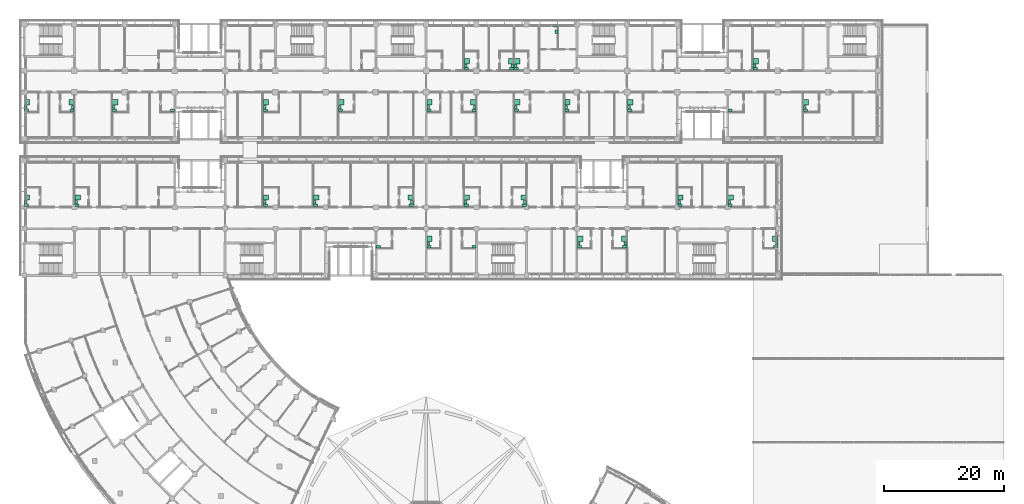
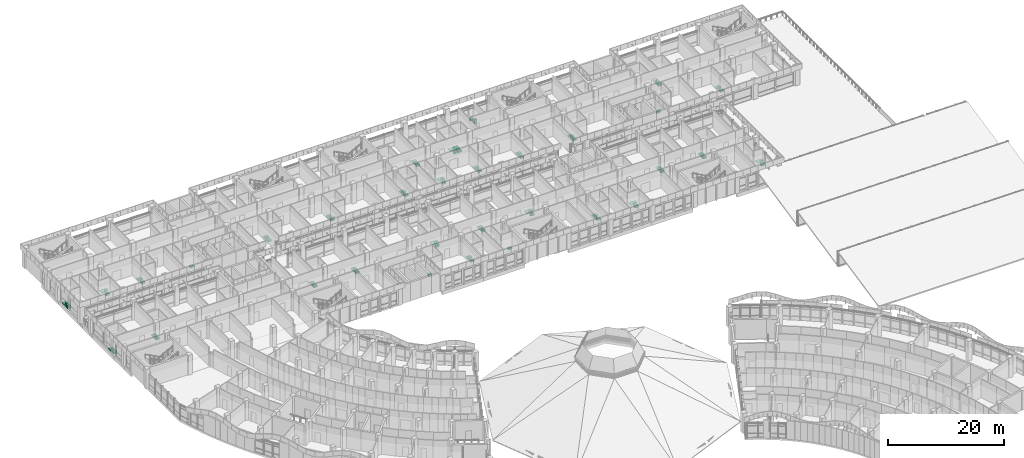
# One storey, part 137 of 137: 90 sanitary terminals.
"""IFC4 building model written with IfcOpenShell, lengths in metres."""

from ifc_helpers import new_model, si_unit, direction, frame, origin, origin_2d, place, context, subcontext, project, spatial, rectangle, extrude, material, type_object, element, save


model = new_model("IFC4")

# Units and contexts
model_context = context("Model", 3, precision=1e-05, world=origin(), true_north=direction((0.0, 1.0)))
body_context = subcontext(model_context, "Body", "Model", "MODEL_VIEW")
ifc_project = project(units=[si_unit("LENGTHUNIT", "METRE"), si_unit("AREAUNIT", "SQUARE_METRE"), si_unit("VOLUMEUNIT", "CUBIC_METRE"), si_unit("PLANEANGLEUNIT", "RADIAN"), si_unit("MASSUNIT", "GRAM", prefix="KILO")], contexts=[model_context])

# Site, building, storey
site_placement = place(None, origin())
site = spatial("IfcSite", under=ifc_project, at=site_placement, CompositionType="ELEMENT")
building_placement = place(site_placement, origin())
building = spatial("IfcBuilding", under=site, at=building_placement, Name="Bougainvillea Quay General Hospital", CompositionType="ELEMENT")
storey_placement = place(building_placement, frame((0.0, 0.0, 16.800048828125)))
storey = spatial("IfcBuildingStorey", under=building, at=storey_placement, Name="L03", CompositionType="ELEMENT", Elevation=16.800048828125)

# Sanitary terminals
ifc_material = material(Name="Vitreous china")
sanitary_terminal_type_1 = type_object("IfcSanitaryTerminalType", Name="Shower tray 900x900", PredefinedType="SHOWER", material=ifc_material)
for number, where, z_axis, x_axis, name in (
    (1, (42.449951171875, 146.52490234375, 0.0), (0.0, 0.0, 1.0), (0.0, 1.0, 0.0), "Shower tray"),
    (2, (49.89990234375, 146.52490234375, 0.0), (0.0, 0.0, 1.0), (0.0, -1.0, 0.0), "Shower tray"),
    (3, (57.199951171875, 146.52490234375, 0.0), (0.0, 0.0, 1.0), (0.0, 1.0, 0.0), "Shower tray"),
    (4, (82.425048828125, 146.52490234375, 0.0), (0.0, 0.0, 1.0), (0.0, 1.0, 0.0), "Shower tray"),
    (5, (95.0, 146.52490234375, 0.0), (0.0, 0.0, 1.0), (0.0, 1.0, 0.0), "Shower tray"),
    (6, (109.75, 146.52490234375, 0.0), (0.0, 0.0, 1.0), (0.0, 1.0, 0.0), "Shower tray"),
    (7, (117.10009765625, 146.52490234375, 0.0), (0.0, 0.0, 1.0), (0.0, -1.0, 0.0), "Shower tray"),
    (8, (124.39990234375, 146.52490234375, 0.0), (0.0, 0.0, 1.0), (0.0, 1.0, 0.0), "Shower tray"),
    (9, (132.824951171875, 146.52490234375, 0.0), (0.0, 0.0, 1.0), (0.0, 1.0, 0.0), "Shower tray"),
    (10, (116.02490234375, 153.425048828125, 0.0), (0.0, 0.0, 1.0), (0.0, 1.0, 0.0), "Shower tray"),
    (11, (123.39990234375, 153.425048828125, 0.0), (0.0, 0.0, 1.0), (0.0, -1.0, 0.0), "Shower tray"),
    (12, (124.39990234375, 153.425048828125, 0.0), (0.0, 0.0, 1.0), (0.0, 1.0, 0.0), "Shower tray"),
    (13, (143.35009765625, 146.52490234375, 0.0), (0.0, 0.0, 1.0), (0.0, 1.0, 0.0), "Shower tray"),
    (14, (172.699951171875, 146.52490234375, 0.0), (0.0, 0.0, 1.0), (0.0, 1.0, 0.0), "Shower tray"),
    (15, (164.324951171875, 153.425048828125, 0.0), (0.0, 0.0, 1.0), (0.0, 1.0, 0.0), "Shower tray"),
    (16, (42.449951171875, 130.625, 0.0), (0.0, 0.0, 1.0), (0.0, 1.0, 0.0), "Shower tray"),
    (17, (50.925048828125, 130.625, 0.0), (0.0, 0.0, 1.0), (0.0, 1.0, 0.0), "Shower tray"),
    (18, (82.425048828125, 130.625, 0.0), (0.0, 0.0, 1.0), (0.0, 1.0, 0.0), "Shower tray"),
    (19, (90.824951171875, 130.625, 0.0), (0.0, 0.0, 1.0), (0.0, 1.0, 0.0), "Shower tray"),
    (20, (106.60009765625, 130.625, 0.0), (0.0, 0.0, 1.0), (0.0, -1.0, 0.0), "Shower tray"),
    (21, (109.75, 123.72509765625, 0.0), (0.0, 0.0, 1.0), (0.0, 1.0, 0.0), "Shower tray"),
    (22, (116.0, 130.625, 0.0), (0.0, 0.0, 1.0), (0.0, 1.0, 0.0), "Shower tray"),
    (23, (125.5, 130.625, 0.0), (0.0, 0.0, 1.0), (0.0, -1.0, 0.0), "Shower tray"),
    (24, (134.949951171875, 123.72509765625, 0.0), (0.0, 0.0, 1.0), (0.0, 1.0, 0.0), "Shower tray"),
    (25, (142.300048828125, 123.72509765625, 0.0), (0.0, 0.0, 1.0), (0.0, -1.0, 0.0), "Shower tray"),
    (26, (151.72509765625, 130.625, 0.0), (0.0, 0.0, 1.0), (0.0, 1.0, 0.0), "Shower tray"),
    (27, (160.10009765625, 130.625, 0.0), (0.0, 0.0, 1.0), (0.0, 1.0, 0.0), "Shower tray"),
    (28, (167.550048828125, 123.72509765625, 0.0), (0.0, 0.0, 1.0), (0.0, -1.0, 0.0), "Shower tray"),
):
    element("IfcSanitaryTerminal", number, at=place(storey_placement, frame(where, z_axis=z_axis, x_axis=x_axis)), inside=storey, type_object=sanitary_terminal_type_1, Name=name, PredefinedType="SHOWER", context=body_context, shape_type="SweptSolid", body=[
        extrude(rectangle(XDim=0.89990234375, YDim=0.89990234375, at=origin_2d()), origin(), (0.0, 0.0, 1.0), 0.10009765625),
    ])
sanitary_terminal_type_2 = type_object("IfcSanitaryTerminalType", Name="Wall-hung toilet pan 400x700", PredefinedType="TOILETPAN", material=ifc_material)
for number, where, z_axis, x_axis, name in (
    (29, (42.35009765625, 145.22509765625, 0.0), (0.0, 0.0, 1.0), (0.0, 1.0, 0.0), "Wall-hung toilet pan"),
    (30, (50.0, 145.22509765625, 0.0), (0.0, 0.0, 1.0), (0.0, -1.0, 0.0), "Wall-hung toilet pan"),
    (31, (57.10009765625, 145.22509765625, 0.0), (0.0, 0.0, 1.0), (0.0, 1.0, 0.0), "Wall-hung toilet pan"),
    (32, (66.810302734375, 145.2138671875, 0.0), (0.0, 0.0, 1.0), (0.0, -1.0, 0.0), "Wall-hung toilet pan"),
    (33, (82.324951171875, 145.22509765625, 0.0), (0.0, 0.0, 1.0), (0.0, 1.0, 0.0), "Wall-hung toilet pan"),
    (34, (94.89990234375, 145.22509765625, 0.0), (0.0, 0.0, 1.0), (0.0, 1.0, 0.0), "Wall-hung toilet pan"),
    (35, (109.64990234375, 145.22509765625, 0.0), (0.0, 0.0, 1.0), (0.0, 1.0, 0.0), "Wall-hung toilet pan"),
    (36, (117.199951171875, 145.22509765625, 0.0), (0.0, 0.0, 1.0), (0.0, -1.0, 0.0), "Wall-hung toilet pan"),
    (37, (124.300048828125, 145.22509765625, 0.0), (0.0, 0.0, 1.0), (0.0, 1.0, 0.0), "Wall-hung toilet pan"),
    (38, (132.72509765625, 145.22509765625, 0.0), (0.0, 0.0, 1.0), (0.0, 1.0, 0.0), "Wall-hung toilet pan"),
    (39, (115.925048828125, 152.125, 0.0), (0.0, 0.0, 1.0), (0.0, 1.0, 0.0), "Wall-hung toilet pan"),
    (40, (123.5, 152.125, 0.0), (0.0, 0.0, 1.0), (0.0, -1.0, 0.0), "Wall-hung toilet pan"),
    (41, (124.300048828125, 152.125, 0.0), (0.0, 0.0, 1.0), (0.0, 1.0, 0.0), "Wall-hung toilet pan"),
    (42, (130.85009765625, 159.35009765625, 0.0), (0.0, 0.0, 1.0), (0.0, -1.0, 0.0), "Wall-hung toilet pan"),
    (43, (143.25, 145.22509765625, 0.0), (0.0, 0.0, 1.0), (0.0, 1.0, 0.0), "Wall-hung toilet pan"),
    (44, (159.98974609375, 145.215087890625, 0.0), (0.0, 0.0, 1.0), (0.0, 1.0, 0.0), "Wall-hung toilet pan"),
    (45, (172.60009765625, 145.22509765625, 0.0), (0.0, 0.0, 1.0), (0.0, 1.0, 0.0), "Wall-hung toilet pan"),
    (46, (164.22509765625, 152.125, 0.0), (0.0, 0.0, 1.0), (0.0, 1.0, 0.0), "Wall-hung toilet pan"),
    (47, (42.35009765625, 129.324951171875, 0.0), (0.0, 0.0, 1.0), (0.0, 1.0, 0.0), "Wall-hung toilet pan"),
    (48, (50.824951171875, 129.324951171875, 0.0), (0.0, 0.0, 1.0), (0.0, 1.0, 0.0), "Wall-hung toilet pan"),
    (49, (82.324951171875, 129.324951171875, 0.0), (0.0, 0.0, 1.0), (0.0, 1.0, 0.0), "Wall-hung toilet pan"),
    (50, (90.72509765625, 129.324951171875, 0.0), (0.0, 0.0, 1.0), (0.0, 1.0, 0.0), "Wall-hung toilet pan"),
    (51, (106.699951171875, 129.324951171875, 0.0), (0.0, 0.0, 1.0), (0.0, -1.0, 0.0), "Wall-hung toilet pan"),
    (52, (101.1865234375, 122.4130859375, 0.0), (0.0, 0.0, 1.0), (0.0, 1.0, 0.0), "Wall-hung toilet pan"),
    (53, (109.64990234375, 122.425048828125, 0.0), (0.0, 0.0, 1.0), (0.0, 1.0, 0.0), "Wall-hung toilet pan"),
    (54, (117.180908203125, 122.418701171875, 0.0), (0.0, 0.0, 1.0), (0.0, -1.0, 0.0), "Wall-hung toilet pan"),
    (55, (115.89990234375, 129.324951171875, 0.0), (0.0, 0.0, 1.0), (0.0, 1.0, 0.0), "Wall-hung toilet pan"),
    (56, (125.60009765625, 129.324951171875, 0.0), (0.0, 0.0, 1.0), (0.0, -1.0, 0.0), "Wall-hung toilet pan"),
    (57, (134.85009765625, 122.425048828125, 0.0), (0.0, 0.0, 1.0), (0.0, 1.0, 0.0), "Wall-hung toilet pan"),
    (58, (142.39990234375, 122.425048828125, 0.0), (0.0, 0.0, 1.0), (0.0, -1.0, 0.0), "Wall-hung toilet pan"),
    (59, (151.625, 129.324951171875, 0.0), (0.0, 0.0, 1.0), (0.0, 1.0, 0.0), "Wall-hung toilet pan"),
    (60, (160.0, 129.324951171875, 0.0), (0.0, 0.0, 1.0), (0.0, 1.0, 0.0), "Wall-hung toilet pan"),
    (61, (167.64990234375, 122.425048828125, 0.0), (0.0, 0.0, 1.0), (0.0, -1.0, 0.0), "Wall-hung toilet pan"),
):
    element("IfcSanitaryTerminal", number, at=place(storey_placement, frame(where, z_axis=z_axis, x_axis=x_axis)), inside=storey, type_object=sanitary_terminal_type_2, Name=name, PredefinedType="TOILETPAN", context=body_context, shape_type="SweptSolid", body=[
        extrude(rectangle(XDim=0.39990234375, YDim=0.699951171875, at=origin_2d()), origin(), (0.0, 0.0, 1.0), 0.39990234375),
    ])
sanitary_terminal_type_3 = type_object("IfcSanitaryTerminalType", Name="Wash hand basin 550x450", PredefinedType="WASHHANDBASIN", material=ifc_material)
for number, where, z_axis, x_axis, name in (
    (62, (42.22509765625, 145.75, 0.0), (0.0, 0.0, 1.0), (0.0, 1.0, 0.0), "Wash hand basin"),
    (63, (50.125, 145.75, 0.0), (0.0, 0.0, 1.0), (0.0, -1.0, 0.0), "Wash hand basin"),
    (64, (56.97509765625, 145.75, 0.0), (0.0, 0.0, 1.0), (0.0, 1.0, 0.0), "Wash hand basin"),
    (65, (82.199951171875, 145.75, 0.0), (0.0, 0.0, 1.0), (0.0, 1.0, 0.0), "Wash hand basin"),
    (66, (94.77490234375, 145.75, 0.0), (0.0, 0.0, 1.0), (0.0, 1.0, 0.0), "Wash hand basin"),
    (67, (109.52490234375, 145.75, 0.0), (0.0, 0.0, 1.0), (0.0, 1.0, 0.0), "Wash hand basin"),
    (68, (117.324951171875, 145.75, 0.0), (0.0, 0.0, 1.0), (0.0, -1.0, 0.0), "Wash hand basin"),
    (69, (124.175048828125, 145.75, 0.0), (0.0, 0.0, 1.0), (0.0, 1.0, 0.0), "Wash hand basin"),
    (70, (132.60009765625, 145.75, 0.0), (0.0, 0.0, 1.0), (0.0, 1.0, 0.0), "Wash hand basin"),
    (71, (115.800048828125, 152.64990234375, 0.0), (0.0, 0.0, 1.0), (0.0, 1.0, 0.0), "Wash hand basin"),
    (72, (123.625, 152.64990234375, 0.0), (0.0, 0.0, 1.0), (0.0, -1.0, 0.0), "Wash hand basin"),
    (73, (124.175048828125, 152.64990234375, 0.0), (0.0, 0.0, 1.0), (0.0, 1.0, 0.0), "Wash hand basin"),
    (74, (130.97509765625, 158.324951171875, 0.0), (0.0, 0.0, 1.0), (0.0, -1.0, 0.0), "Wash hand basin"),
    (75, (143.125, 145.75, 0.0), (0.0, 0.0, 1.0), (0.0, 1.0, 0.0), "Wash hand basin"),
    (76, (172.47509765625, 145.75, 0.0), (0.0, 0.0, 1.0), (0.0, 1.0, 0.0), "Wash hand basin"),
    (77, (164.10009765625, 152.64990234375, 0.0), (0.0, 0.0, 1.0), (0.0, 1.0, 0.0), "Wash hand basin"),
    (78, (42.22509765625, 129.85009765625, 0.0), (0.0, 0.0, 1.0), (0.0, 1.0, 0.0), "Wash hand basin"),
    (79, (50.699951171875, 129.85009765625, 0.0), (0.0, 0.0, 1.0), (0.0, 1.0, 0.0), "Wash hand basin"),
    (80, (82.199951171875, 129.85009765625, 0.0), (0.0, 0.0, 1.0), (0.0, 1.0, 0.0), "Wash hand basin"),
    (81, (90.60009765625, 129.85009765625, 0.0), (0.0, 0.0, 1.0), (0.0, 1.0, 0.0), "Wash hand basin"),
    (82, (106.824951171875, 129.85009765625, 0.0), (0.0, 0.0, 1.0), (0.0, -1.0, 0.0), "Wash hand basin"),
    (83, (109.52490234375, 122.949951171875, 0.0), (0.0, 0.0, 1.0), (0.0, 1.0, 0.0), "Wash hand basin"),
    (84, (115.77490234375, 129.85009765625, 0.0), (0.0, 0.0, 1.0), (0.0, 1.0, 0.0), "Wash hand basin"),
    (85, (125.72509765625, 129.85009765625, 0.0), (0.0, 0.0, 1.0), (0.0, -1.0, 0.0), "Wash hand basin"),
    (86, (134.72509765625, 122.949951171875, 0.0), (0.0, 0.0, 1.0), (0.0, 1.0, 0.0), "Wash hand basin"),
    (87, (142.52490234375, 122.949951171875, 0.0), (0.0, 0.0, 1.0), (0.0, -1.0, 0.0), "Wash hand basin"),
    (88, (151.5, 129.85009765625, 0.0), (0.0, 0.0, 1.0), (0.0, 1.0, 0.0), "Wash hand basin"),
    (89, (159.875, 129.85009765625, 0.0), (0.0, 0.0, 1.0), (0.0, 1.0, 0.0), "Wash hand basin"),
    (90, (167.77490234375, 122.949951171875, 0.0), (0.0, 0.0, 1.0), (0.0, -1.0, 0.0), "Wash hand basin"),
):
    element("IfcSanitaryTerminal", number, at=place(storey_placement, frame(where, z_axis=z_axis, x_axis=x_axis)), inside=storey, type_object=sanitary_terminal_type_3, Name=name, PredefinedType="WASHHANDBASIN", context=body_context, shape_type="SweptSolid", body=[
        extrude(rectangle(XDim=0.550048828125, YDim=0.449951171875, at=origin_2d()), origin(), (0.0, 0.0, 1.0), 0.85009765625),
    ])

save(model, "model.ifc")
